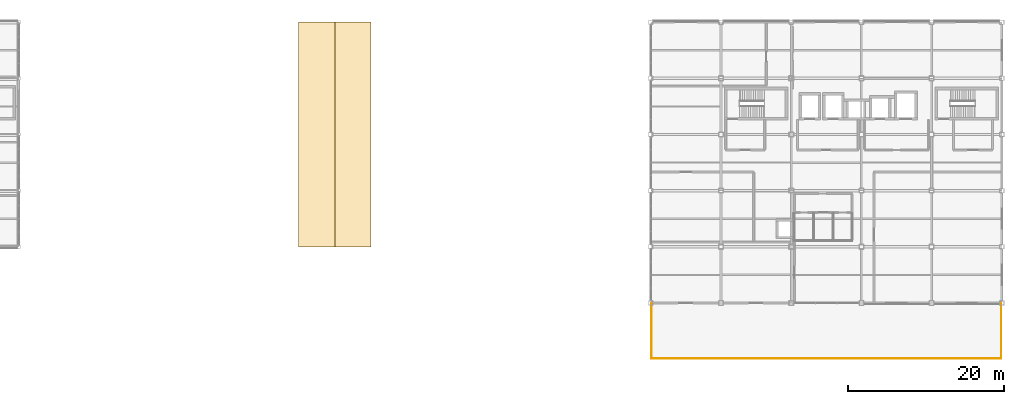
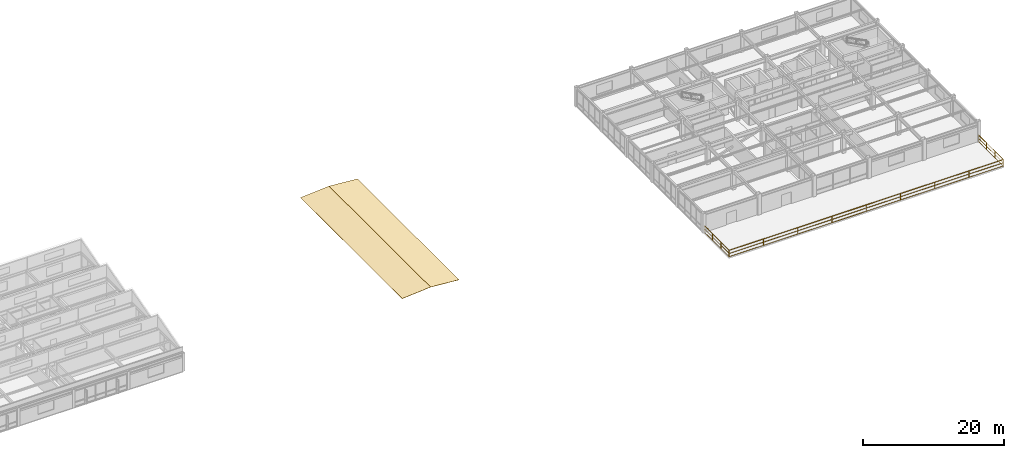
# One storey, part 42 of 43: 3 railings, 2 coverings.
"""IFC4 building model written with IfcOpenShell, lengths in metres."""

import ifcopenshell
import ifcopenshell.guid

model = None  # the IFC model being written
_history = None  # IfcOwnerHistory: only IFC2X3 demands one
_inside = {}  # id of a spatial element -> (the spatial element, [elements in it])
_under = {}  # id of a project, library or spatial element -> (it, [spatial elements below it])
_declared = {}  # id of a project -> (the project, [libraries it declares])
_typed = {}  # id of a type object -> (the type object, [elements of that type])
_made_of = {}  # id of a material, layer set ... -> (it, [elements and type objects made of it])


def new_model(schema):
    """Start an empty IFC model of exactly this schema.

    Asked for "IFC4X3", IfcOpenShell would pick the latest addendum, in which some entities
    have other attributes; the version numbers below select the first issue.
    IFC2X3 requires an IfcOwnerHistory on every rooted entity: one is made here for all.
    """
    global model, _history
    if schema == "IFC4X3":
        model = ifcopenshell.file(schema_version=(4, 3, 0, 0))
    else:
        model = ifcopenshell.file(schema=schema)
    _inside.clear()
    _under.clear()
    _declared.clear()
    _typed.clear()
    _made_of.clear()
    _history = None
    if model.schema == "IFC2X3":
        org = make("IfcOrganization", Name="unknown")
        user = make(
            "IfcPersonAndOrganization",
            ThePerson=make("IfcPerson", FamilyName="unknown"),
            TheOrganization=org,
        )
        app = make(
            "IfcApplication",
            ApplicationDeveloper=org,
            Version="unknown",
            ApplicationFullName="unknown",
            ApplicationIdentifier="unknown",
        )
        _history = make(
            "IfcOwnerHistory",
            OwningUser=user,
            OwningApplication=app,
            ChangeAction="ADDED",
            CreationDate=0,
        )
    return model


def make(cls, **values):
    """One entity of the class cls with the attributes given. An attribute that is None is left unset."""
    return model.create_entity(
        cls, **{name: value for name, value in values.items() if value is not None}
    )


def rooted(cls, **values):
    """An entity with a GlobalId (a new one), such as an element, a storey or a relation."""
    return make(cls, GlobalId=ifcopenshell.guid.new(), OwnerHistory=_history, **values)


def si_unit(unit_type, name, prefix=None):
    """IfcSIUnit, for example si_unit("LENGTHUNIT", "METRE", prefix="MILLI")."""
    return make("IfcSIUnit", UnitType=unit_type, Prefix=prefix, Name=name)


def assignment(units):
    """IfcUnitAssignment: the units of a project."""
    return None if units is None else make("IfcUnitAssignment", Units=units)


def point(xyz):
    """IfcCartesianPoint."""
    return None if xyz is None else make("IfcCartesianPoint", Coordinates=xyz)


def direction(xyz):
    """IfcDirection."""
    return None if xyz is None else make("IfcDirection", DirectionRatios=xyz)


def frame(location, z_axis=None, x_axis=None):
    """IfcAxis2Placement3D, a coordinate frame: its origin and axes. An axis left out is left unset."""
    return make(
        "IfcAxis2Placement3D",
        Location=point(location),
        Axis=direction(z_axis),
        RefDirection=direction(x_axis),
    )


def frame_2d(location, x_axis=None):
    """IfcAxis2Placement2D, a coordinate frame in the plane: its origin and x axis."""
    return make(
        "IfcAxis2Placement2D", Location=point(location), RefDirection=direction(x_axis)
    )


def origin():
    """The frame at (0, 0, 0) with its axes left unset."""
    return frame((0.0, 0.0, 0.0))


def origin_2d():
    """The frame at (0, 0) in the plane with its x axis left unset."""
    return frame_2d((0.0, 0.0))


def place(relative_to, where):
    """IfcLocalPlacement: puts the frame where relative to a parent placement (None: the world)."""
    return make(
        "IfcLocalPlacement", PlacementRelTo=relative_to, RelativePlacement=where
    )


def context(
    kind, dimensions, precision=None, world=None, true_north=None, identifier=None
):
    """IfcGeometricRepresentationContext, for example the 3D "Model" context."""
    return make(
        "IfcGeometricRepresentationContext",
        ContextIdentifier=identifier,
        ContextType=kind,
        CoordinateSpaceDimension=dimensions,
        Precision=precision,
        WorldCoordinateSystem=world,
        TrueNorth=true_north,
    )


def subcontext(parent, identifier, kind, view, scale=None):
    """IfcGeometricRepresentationSubContext, for example "Body" below "Model"."""
    return make(
        "IfcGeometricRepresentationSubContext",
        ContextIdentifier=identifier,
        ContextType=kind,
        ParentContext=parent,
        TargetScale=scale,
        TargetView=view,
    )


def project(units=None, contexts=None):
    """IfcProject with its units and contexts."""
    return rooted(
        "IfcProject",
        Name="project",
        RepresentationContexts=contexts,
        UnitsInContext=assignment(units),
    )


def spatial(cls, under=None, at=None, **own):
    """A site, building, storey or space (cls), placed at a placement, below another one or the project."""
    s = rooted(cls, ObjectPlacement=at, **own)
    if under is not None:
        _under.setdefault(under.id(), (under, []))[1].append(s)
    return s


def polyline(points):
    """IfcPolyline through the points."""
    return make("IfcPolyline", Points=[point(p) for p in points])


def profile(cls, at=None, kind="AREA", **sizes):
    """A parametric profile (cls). Its sizes go by their IFC names, for example OverallWidth=200.0."""
    return make(cls, ProfileType=kind, Position=at, **sizes)


def rectangle(**sizes):
    """IfcRectangleProfileDef."""
    return profile("IfcRectangleProfileDef", **sizes)


def outline(outer, holes=None, kind="AREA"):
    """IfcArbitraryClosedProfileDef: a profile drawn as a closed curve; with holes, ...WithVoids."""
    if holes is None:
        return make("IfcArbitraryClosedProfileDef", ProfileType=kind, OuterCurve=outer)
    return make(
        "IfcArbitraryProfileDefWithVoids",
        ProfileType=kind,
        OuterCurve=outer,
        InnerCurves=holes,
    )


def extrude(swept, where, along, depth):
    """IfcExtrudedAreaSolid: the profile swept, set in the frame where, extruded along a direction by depth."""
    return make(
        "IfcExtrudedAreaSolid",
        SweptArea=swept,
        Position=where,
        ExtrudedDirection=direction(along),
        Depth=depth,
    )


def shape(context_of_items, identifier, shape_type, items):
    """IfcShapeRepresentation: the items that make up one representation, for example the "Body"."""
    return make(
        "IfcShapeRepresentation",
        ContextOfItems=context_of_items,
        RepresentationIdentifier=identifier,
        RepresentationType=shape_type,
        Items=items,
    )


def material(Name=None, Category=None):
    """IfcMaterial."""
    return make("IfcMaterial", Name=Name, Category=Category)


def layer(
    of_material, thickness, ventilated=None, Name=None, Category=None, Priority=None
):
    """IfcMaterialLayer: one layer of a wall or slab, of a material (None: an air gap)."""
    return make(
        "IfcMaterialLayer",
        Material=of_material,
        LayerThickness=thickness,
        IsVentilated=ventilated,
        Name=Name,
        Category=Category,
        Priority=Priority,
    )


def layer_set(layers, Name=None):
    """IfcMaterialLayerSet."""
    return make("IfcMaterialLayerSet", MaterialLayers=layers, LayerSetName=Name)


def made_of(thing, what):
    """Note that an element or type object is made of a material, layer set ...; save() writes the relation."""
    if what is not None:
        _made_of.setdefault(what.id(), (what, []))[1].append(thing)
    return thing


def type_object(cls, material=None, **own):
    """A type object (cls), such as IfcWallType, which elements share."""
    return made_of(rooted(cls, **own), material)


def element(
    cls,
    number,
    at=None,
    inside=None,
    cuts=None,
    type_object=None,
    material=None,
    context=None,
    identifier="Body",
    shape_type=None,
    held_by="IfcProductDefinitionShape",
    body=None,
    shapes=None,
    **own,
):
    """One element of the class cls, such as IfcWall. Its Tag is "e" and its number.

    at: its placement. inside: the storey or other place that contains it. cuts: it is an
    opening in that element (IfcRelVoidsElement). A single representation is given by context,
    identifier, shape_type and body (its items); several are given by shapes. held_by: the class
    of the entity that holds the representations. save() writes the other relations.
    """
    e = rooted(cls, Tag="e%d" % number, ObjectPlacement=at, **own)
    if body is not None:
        shapes = [shape(context, identifier, shape_type, body)]
    if shapes is not None:
        e.Representation = make(held_by, Representations=shapes)
    if inside is not None:
        _inside.setdefault(inside.id(), (inside, []))[1].append(e)
    if cuts is not None:
        rooted(
            "IfcRelVoidsElement", RelatingBuildingElement=cuts, RelatedOpeningElement=e
        )
    if type_object is not None:
        _typed.setdefault(type_object.id(), (type_object, []))[1].append(e)
    return made_of(e, material)


def aggregate(whole, parts):
    """IfcRelAggregates: a whole, such as a stair, and the parts it consists of."""
    return rooted("IfcRelAggregates", RelatingObject=whole, RelatedObjects=parts)


def save(model, path):
    """Write the relations noted so far, then the file.

    IfcRelAggregates (storeys below a building ...), IfcRelContainedInSpatialStructure (elements
    in a storey), IfcRelDefinesByType, IfcRelAssociatesMaterial and IfcRelDeclares: one each for
    every whole, place, type object, material and project.
    """
    for whole, parts in _under.values():
        aggregate(whole, parts)
    for where, things in _inside.values():
        rooted(
            "IfcRelContainedInSpatialStructure",
            RelatedElements=things,
            RelatingStructure=where,
        )
    for kind, things in _typed.values():
        rooted("IfcRelDefinesByType", RelatedObjects=things, RelatingType=kind)
    for what, things in _made_of.values():
        rooted("IfcRelAssociatesMaterial", RelatedObjects=things, RelatingMaterial=what)
    for by, libraries in _declared.values():
        rooted("IfcRelDeclares", RelatingContext=by, RelatedDefinitions=libraries)
    model.write(path)


model = new_model("IFC4")

# Units and contexts
model_context = context("Model", 3, precision=1e-05, world=origin(), true_north=direction((0.0, 1.0)))
body_context = subcontext(model_context, "Body", "Model", "MODEL_VIEW")
ifc_project = project(units=[si_unit("LENGTHUNIT", "METRE"), si_unit("AREAUNIT", "SQUARE_METRE"), si_unit("VOLUMEUNIT", "CUBIC_METRE"), si_unit("PLANEANGLEUNIT", "RADIAN"), si_unit("MASSUNIT", "GRAM", prefix="KILO")], contexts=[model_context])

# Site, building, storey
site_placement = place(None, origin())
site = spatial("IfcSite", under=ifc_project, at=site_placement, CompositionType="ELEMENT")
building_placement = place(site_placement, origin())
building = spatial("IfcBuilding", under=site, at=building_placement, Name="Kazanami Central Library", CompositionType="ELEMENT")
storey_placement = place(building_placement, frame((0.0, 0.0, 20.60009765625)))
storey = spatial("IfcBuildingStorey", under=building, at=storey_placement, Name="L06", CompositionType="ELEMENT", Elevation=20.60009765625)

# Coverings
ifc_material_1 = material(Name="Standing-Seam Titanium Zinc")
ifc_layer = layer(ifc_material_1, 0.034912109375, Name="Standing-Seam Titanium Zinc")
ifc_layer_set = layer_set([ifc_layer], Name="Standing-Seam Titanium Zinc")
covering_type = type_object("IfcCoveringType", Name="COV-ZNC-35", PredefinedType="ROOFING", material=ifc_layer_set)
for number, where, z_axis, x_axis, name in (
    (1, (71.847412109375, 64.800048828125, -0.073486328125), (-0.078676491656, 0.0, 0.996900200452), (0.996900200452, 0.0, 0.078676491656), "Standing-Seam Zinc Barrel Vault Roofing VAULT-MAIN Facet 3"),
    (2, (76.5, 64.800048828125, 0.293701171875), (0.078676491656, 0.0, 0.996900200452), (0.996900200452, 0.0, -0.078676491656), "Standing-Seam Zinc Barrel Vault Roofing VAULT-MAIN Facet 4"),
):
    element("IfcCovering", number, at=place(storey_placement, frame(where, z_axis=z_axis, x_axis=x_axis)), inside=storey, type_object=covering_type, Name=name, PredefinedType="ROOFING", context=body_context, shape_type="SweptSolid", body=[
        extrude(outline(polyline([(0.0, 0.0), (4.667054825063301, 0.0), (4.667054825063301, 28.800048828125), (0.0, 28.800048828125), (0.0, 0.0)])), origin(), (0.0, 0.0, -1.0), 0.034912109375),
    ])

# Railings
ifc_material_2 = material(Name="Stainless Steel SUS304", Category="steel")
railing_type = type_object("IfcRailingType", Name="RAL-GR-T1", PredefinedType="GUARDRAIL", material=ifc_material_2)
railing_placement = place(storey_placement, frame((117.080078125, 50.47998046875, 0.0)))
element("IfcRailing", 3, at=railing_placement, inside=storey, type_object=railing_type, Name="Terrace Perimeter Guard Archive Wing Canal Overlook Terrace L06 (South)", PredefinedType="GUARDRAIL", context=body_context, shape_type="SweptSolid", body=[
    extrude(rectangle(XDim=0.0439453125, YDim=0.0439453125, at=origin_2d()), frame((0.02587890625, 0.0, 1.1279296875), z_axis=(1.0, 0.0, 0.0), x_axis=(0.0, 1.0, 0.0)), (0.0, 0.0, 1.0), 44.787841796875),
    extrude(rectangle(XDim=0.02392578125, YDim=0.02392578125, at=origin_2d()), frame((0.02587890625, 0.0, 0.015869140625), z_axis=(1.0, 0.0, 0.0), x_axis=(0.0, 1.0, 0.0)), (0.0, 0.0, 1.0), 44.787841796875),
    extrude(rectangle(XDim=0.02392578125, YDim=0.02392578125, at=origin_2d()), frame((0.02587890625, 0.0, 0.574951171875), z_axis=(1.0, 0.0, 0.0), x_axis=(0.0, 1.0, 0.0)), (0.0, 0.0, 1.0), 44.787841796875),
    extrude(rectangle(XDim=0.035888671875, YDim=0.035888671875, at=origin_2d()), origin(), (0.0, 0.0, 1.0), 1.10205078125),
    extrude(rectangle(XDim=0.035888671875, YDim=0.035888671875, at=origin_2d()), frame((5.60498046875, 0.0, 0.0)), (0.0, 0.0, 1.0), 1.10205078125),
    extrude(rectangle(XDim=0.035888671875, YDim=0.035888671875, at=origin_2d()), frame((11.2099609375, 0.0, 0.0)), (0.0, 0.0, 1.0), 1.10205078125),
    extrude(rectangle(XDim=0.035888671875, YDim=0.035888671875, at=origin_2d()), frame((16.81494140625, 0.0, 0.0)), (0.0, 0.0, 1.0), 1.10205078125),
    extrude(rectangle(XDim=0.035888671875, YDim=0.035888671875, at=origin_2d()), frame((22.419921875, 0.0, 0.0)), (0.0, 0.0, 1.0), 1.10205078125),
    extrude(rectangle(XDim=0.035888671875, YDim=0.035888671875, at=origin_2d()), frame((28.02490234375, 0.0, 0.0)), (0.0, 0.0, 1.0), 1.10205078125),
    extrude(rectangle(XDim=0.035888671875, YDim=0.035888671875, at=origin_2d()), frame((33.6298828125, 0.0, 0.0)), (0.0, 0.0, 1.0), 1.10205078125),
    extrude(rectangle(XDim=0.035888671875, YDim=0.035888671875, at=origin_2d()), frame((39.23486328125, 0.0, 0.0)), (0.0, 0.0, 1.0), 1.10205078125),
    extrude(rectangle(XDim=0.035888671875, YDim=0.035888671875, at=origin_2d()), frame((44.83984375, 0.0, 0.0)), (0.0, 0.0, 1.0), 1.10205078125),
])
for number, where, name in (
    (4, (117.080078125, 50.47998046875, 0.0), "Terrace Perimeter Guard Archive Wing Canal Overlook Terrace L06 (West)"),
    (5, (161.919921875, 50.47998046875, 0.0), "Terrace Perimeter Guard Archive Wing Canal Overlook Terrace L06 (East)"),
):
    element("IfcRailing", number, at=place(storey_placement, frame(where)), inside=storey, type_object=railing_type, Name=name, PredefinedType="GUARDRAIL", context=body_context, shape_type="SweptSolid", body=[
        extrude(rectangle(XDim=0.0439453125, YDim=0.0439453125, at=origin_2d()), frame((0.0, 0.02587890625, 1.1279296875), z_axis=(0.0, 1.0, 0.0), x_axis=(-1.0, 0.0, 0.0)), (0.0, 0.0, 1.0), 6.988037109375),
        extrude(rectangle(XDim=0.02392578125, YDim=0.02392578125, at=origin_2d()), frame((0.0, 0.02587890625, 0.015869140625), z_axis=(0.0, 1.0, 0.0), x_axis=(-1.0, 0.0, 0.0)), (0.0, 0.0, 1.0), 6.988037109375),
        extrude(rectangle(XDim=0.02392578125, YDim=0.02392578125, at=origin_2d()), frame((0.0, 0.02587890625, 0.574951171875), z_axis=(0.0, 1.0, 0.0), x_axis=(-1.0, 0.0, 0.0)), (0.0, 0.0, 1.0), 6.988037109375),
        extrude(rectangle(XDim=0.035888671875, YDim=0.035888671875, at=origin_2d()), origin(), (0.0, 0.0, 1.0), 1.10205078125),
        extrude(rectangle(XDim=0.035888671875, YDim=0.035888671875, at=origin_2d()), frame((0.0, 2.3466796875, 0.0)), (0.0, 0.0, 1.0), 1.10205078125),
        extrude(rectangle(XDim=0.035888671875, YDim=0.035888671875, at=origin_2d()), frame((0.0, 4.693359375, 0.0)), (0.0, 0.0, 1.0), 1.10205078125),
        extrude(rectangle(XDim=0.035888671875, YDim=0.035888671875, at=origin_2d()), frame((0.0, 7.0400390625, 0.0)), (0.0, 0.0, 1.0), 1.10205078125),
    ])

save(model, "model.ifc")
